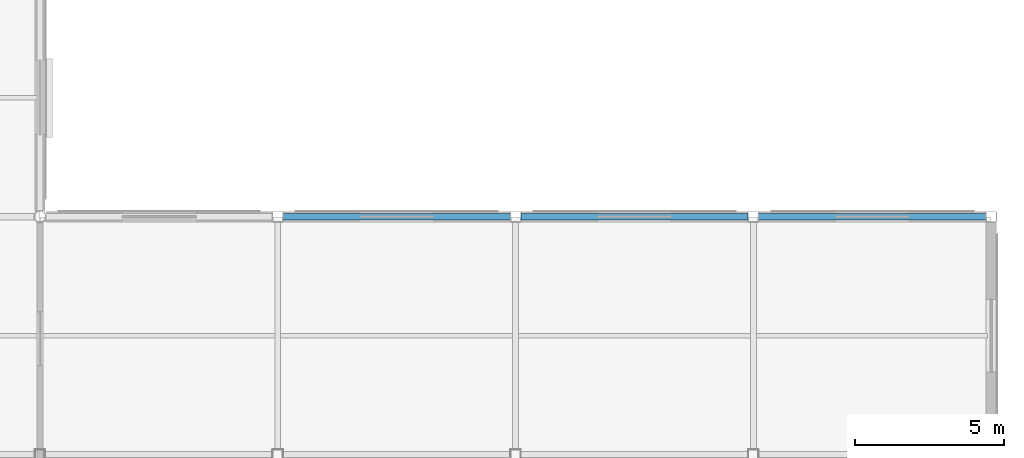
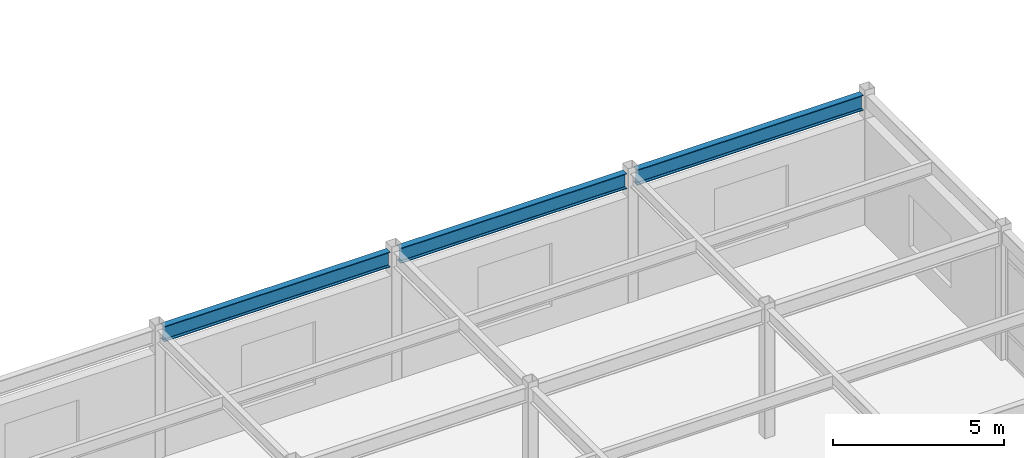
# One storey, part 74 of 117: 3 beams.
"""IFC4 building model written with IfcOpenShell, lengths in metres."""

import ifcopenshell
import ifcopenshell.guid

model = None  # the IFC model being written
_history = None  # IfcOwnerHistory: only IFC2X3 demands one
_inside = {}  # id of a spatial element -> (the spatial element, [elements in it])
_under = {}  # id of a project, library or spatial element -> (it, [spatial elements below it])
_declared = {}  # id of a project -> (the project, [libraries it declares])
_typed = {}  # id of a type object -> (the type object, [elements of that type])
_made_of = {}  # id of a material, layer set ... -> (it, [elements and type objects made of it])


def new_model(schema):
    """Start an empty IFC model of exactly this schema.

    Asked for "IFC4X3", IfcOpenShell would pick the latest addendum, in which some entities
    have other attributes; the version numbers below select the first issue.
    IFC2X3 requires an IfcOwnerHistory on every rooted entity: one is made here for all.
    """
    global model, _history
    if schema == "IFC4X3":
        model = ifcopenshell.file(schema_version=(4, 3, 0, 0))
    else:
        model = ifcopenshell.file(schema=schema)
    _inside.clear()
    _under.clear()
    _declared.clear()
    _typed.clear()
    _made_of.clear()
    _history = None
    if model.schema == "IFC2X3":
        org = make("IfcOrganization", Name="unknown")
        user = make(
            "IfcPersonAndOrganization",
            ThePerson=make("IfcPerson", FamilyName="unknown"),
            TheOrganization=org,
        )
        app = make(
            "IfcApplication",
            ApplicationDeveloper=org,
            Version="unknown",
            ApplicationFullName="unknown",
            ApplicationIdentifier="unknown",
        )
        _history = make(
            "IfcOwnerHistory",
            OwningUser=user,
            OwningApplication=app,
            ChangeAction="ADDED",
            CreationDate=0,
        )
    return model


def make(cls, **values):
    """One entity of the class cls with the attributes given. An attribute that is None is left unset."""
    return model.create_entity(
        cls, **{name: value for name, value in values.items() if value is not None}
    )


def rooted(cls, **values):
    """An entity with a GlobalId (a new one), such as an element, a storey or a relation."""
    return make(cls, GlobalId=ifcopenshell.guid.new(), OwnerHistory=_history, **values)


def si_unit(unit_type, name, prefix=None):
    """IfcSIUnit, for example si_unit("LENGTHUNIT", "METRE", prefix="MILLI")."""
    return make("IfcSIUnit", UnitType=unit_type, Prefix=prefix, Name=name)


def assignment(units):
    """IfcUnitAssignment: the units of a project."""
    return None if units is None else make("IfcUnitAssignment", Units=units)


def point(xyz):
    """IfcCartesianPoint."""
    return None if xyz is None else make("IfcCartesianPoint", Coordinates=xyz)


def direction(xyz):
    """IfcDirection."""
    return None if xyz is None else make("IfcDirection", DirectionRatios=xyz)


def frame(location, z_axis=None, x_axis=None):
    """IfcAxis2Placement3D, a coordinate frame: its origin and axes. An axis left out is left unset."""
    return make(
        "IfcAxis2Placement3D",
        Location=point(location),
        Axis=direction(z_axis),
        RefDirection=direction(x_axis),
    )


def frame_2d(location, x_axis=None):
    """IfcAxis2Placement2D, a coordinate frame in the plane: its origin and x axis."""
    return make(
        "IfcAxis2Placement2D", Location=point(location), RefDirection=direction(x_axis)
    )


def origin():
    """The frame at (0, 0, 0) with its axes left unset."""
    return frame((0.0, 0.0, 0.0))


def origin_2d():
    """The frame at (0, 0) in the plane with its x axis left unset."""
    return frame_2d((0.0, 0.0))


def place(relative_to, where):
    """IfcLocalPlacement: puts the frame where relative to a parent placement (None: the world)."""
    return make(
        "IfcLocalPlacement", PlacementRelTo=relative_to, RelativePlacement=where
    )


def context(
    kind, dimensions, precision=None, world=None, true_north=None, identifier=None
):
    """IfcGeometricRepresentationContext, for example the 3D "Model" context."""
    return make(
        "IfcGeometricRepresentationContext",
        ContextIdentifier=identifier,
        ContextType=kind,
        CoordinateSpaceDimension=dimensions,
        Precision=precision,
        WorldCoordinateSystem=world,
        TrueNorth=true_north,
    )


def subcontext(parent, identifier, kind, view, scale=None):
    """IfcGeometricRepresentationSubContext, for example "Body" below "Model"."""
    return make(
        "IfcGeometricRepresentationSubContext",
        ContextIdentifier=identifier,
        ContextType=kind,
        ParentContext=parent,
        TargetScale=scale,
        TargetView=view,
    )


def project(units=None, contexts=None):
    """IfcProject with its units and contexts."""
    return rooted(
        "IfcProject",
        Name="project",
        RepresentationContexts=contexts,
        UnitsInContext=assignment(units),
    )


def spatial(cls, under=None, at=None, **own):
    """A site, building, storey or space (cls), placed at a placement, below another one or the project."""
    s = rooted(cls, ObjectPlacement=at, **own)
    if under is not None:
        _under.setdefault(under.id(), (under, []))[1].append(s)
    return s


def profile(cls, at=None, kind="AREA", **sizes):
    """A parametric profile (cls). Its sizes go by their IFC names, for example OverallWidth=200.0."""
    return make(cls, ProfileType=kind, Position=at, **sizes)


def i_section(**sizes):
    """IfcIShapeProfileDef."""
    return profile("IfcIShapeProfileDef", **sizes)


def extrude(swept, where, along, depth):
    """IfcExtrudedAreaSolid: the profile swept, set in the frame where, extruded along a direction by depth."""
    return make(
        "IfcExtrudedAreaSolid",
        SweptArea=swept,
        Position=where,
        ExtrudedDirection=direction(along),
        Depth=depth,
    )


def shape(context_of_items, identifier, shape_type, items):
    """IfcShapeRepresentation: the items that make up one representation, for example the "Body"."""
    return make(
        "IfcShapeRepresentation",
        ContextOfItems=context_of_items,
        RepresentationIdentifier=identifier,
        RepresentationType=shape_type,
        Items=items,
    )


def material(Name=None, Category=None):
    """IfcMaterial."""
    return make("IfcMaterial", Name=Name, Category=Category)


def material_profile(
    of_material, cross_section, Name=None, Category=None, Priority=None
):
    """IfcMaterialProfile: a cross section and its material."""
    return make(
        "IfcMaterialProfile",
        Name=Name,
        Material=of_material,
        Profile=cross_section,
        Priority=Priority,
        Category=Category,
    )


def profile_set(profiles, Name=None, composite=None):
    """IfcMaterialProfileSet."""
    return make(
        "IfcMaterialProfileSet",
        Name=Name,
        MaterialProfiles=profiles,
        CompositeProfile=composite,
    )


def made_of(thing, what):
    """Note that an element or type object is made of a material, layer set ...; save() writes the relation."""
    if what is not None:
        _made_of.setdefault(what.id(), (what, []))[1].append(thing)
    return thing


def type_object(cls, material=None, **own):
    """A type object (cls), such as IfcWallType, which elements share."""
    return made_of(rooted(cls, **own), material)


def element(
    cls,
    number,
    at=None,
    inside=None,
    cuts=None,
    type_object=None,
    material=None,
    context=None,
    identifier="Body",
    shape_type=None,
    held_by="IfcProductDefinitionShape",
    body=None,
    shapes=None,
    **own,
):
    """One element of the class cls, such as IfcWall. Its Tag is "e" and its number.

    at: its placement. inside: the storey or other place that contains it. cuts: it is an
    opening in that element (IfcRelVoidsElement). A single representation is given by context,
    identifier, shape_type and body (its items); several are given by shapes. held_by: the class
    of the entity that holds the representations. save() writes the other relations.
    """
    e = rooted(cls, Tag="e%d" % number, ObjectPlacement=at, **own)
    if body is not None:
        shapes = [shape(context, identifier, shape_type, body)]
    if shapes is not None:
        e.Representation = make(held_by, Representations=shapes)
    if inside is not None:
        _inside.setdefault(inside.id(), (inside, []))[1].append(e)
    if cuts is not None:
        rooted(
            "IfcRelVoidsElement", RelatingBuildingElement=cuts, RelatedOpeningElement=e
        )
    if type_object is not None:
        _typed.setdefault(type_object.id(), (type_object, []))[1].append(e)
    return made_of(e, material)


def aggregate(whole, parts):
    """IfcRelAggregates: a whole, such as a stair, and the parts it consists of."""
    return rooted("IfcRelAggregates", RelatingObject=whole, RelatedObjects=parts)


def save(model, path):
    """Write the relations noted so far, then the file.

    IfcRelAggregates (storeys below a building ...), IfcRelContainedInSpatialStructure (elements
    in a storey), IfcRelDefinesByType, IfcRelAssociatesMaterial and IfcRelDeclares: one each for
    every whole, place, type object, material and project.
    """
    for whole, parts in _under.values():
        aggregate(whole, parts)
    for where, things in _inside.values():
        rooted(
            "IfcRelContainedInSpatialStructure",
            RelatedElements=things,
            RelatingStructure=where,
        )
    for kind, things in _typed.values():
        rooted("IfcRelDefinesByType", RelatedObjects=things, RelatingType=kind)
    for what, things in _made_of.values():
        rooted("IfcRelAssociatesMaterial", RelatedObjects=things, RelatingMaterial=what)
    for by, libraries in _declared.values():
        rooted("IfcRelDeclares", RelatingContext=by, RelatedDefinitions=libraries)
    model.write(path)


model = new_model("IFC4")

# Units and contexts
model_context = context("Model", 3, precision=1e-05, world=origin(), true_north=direction((0.0, 1.0)))
body_context = subcontext(model_context, "Body", "Model", "MODEL_VIEW")
ifc_project = project(units=[si_unit("LENGTHUNIT", "METRE"), si_unit("AREAUNIT", "SQUARE_METRE"), si_unit("VOLUMEUNIT", "CUBIC_METRE"), si_unit("PLANEANGLEUNIT", "RADIAN"), si_unit("MASSUNIT", "GRAM", prefix="KILO")], contexts=[model_context])

# Site, building, storey
site_placement = place(None, origin())
site = spatial("IfcSite", under=ifc_project, at=site_placement, CompositionType="ELEMENT")
building_placement = place(site_placement, origin())
building = spatial("IfcBuilding", under=site, at=building_placement, Name="Solmirada Galleria", CompositionType="ELEMENT")
storey_placement = place(building_placement, frame((0.0, 0.0, 5.60009765625)))
storey = spatial("IfcBuildingStorey", under=building, at=storey_placement, Name="L01", CompositionType="ELEMENT", Elevation=5.60009765625)

# Beams
ifc_material = material(Name="Steel S355 / ASTM A992 Grade 50", Category="steel")
ifc_material_profile = material_profile(ifc_material, i_section(OverallWidth=0.214111328125, OverallDepth=0.549072265625, WebThickness=0.0146484375, FlangeThickness=0.023681640625, FilletRadius=0.014892578125, at=origin_2d()), Name="W21X93")
ifc_profile_set = profile_set([ifc_material_profile], Name="Steel S355 / ASTM A992 Grade 50")
beam_type = type_object("IfcBeamType", Name="BM-GIRD-W21A", PredefinedType="BEAM", material=ifc_profile_set)
for number, where, z_axis, x_axis, name in (
    (1, (152.177978515625, 32.0, 4.325439453125), (1.0, 0.0, 0.0), (0.0, 1.0, 0.0), "Primary beam L02 X(152..160, 32)"),
    (2, (160.177978515625, 32.0, 4.325439453125), (1.0, 0.0, 0.0), (0.0, 1.0, 0.0), "Primary beam L02 X(160..168, 32)"),
    (3, (168.177978515625, 32.0, 4.325439453125), (1.0, 0.0, 0.0), (0.0, 1.0, 0.0), "Primary beam L02 X(168..176, 32)"),
):
    element("IfcBeam", number, at=place(storey_placement, frame(where, z_axis=z_axis, x_axis=x_axis)), inside=storey, type_object=beam_type, Name=name, PredefinedType="BEAM", context=body_context, shape_type="SweptSolid", body=[
        extrude(i_section(OverallWidth=0.214111328125, OverallDepth=0.549072265625, WebThickness=0.0146484375, FlangeThickness=0.023681640625, FilletRadius=0.014892578125, at=origin_2d()), origin(), (0.0, 0.0, 1.0), 7.64404296875),
    ])

save(model, "model.ifc")
